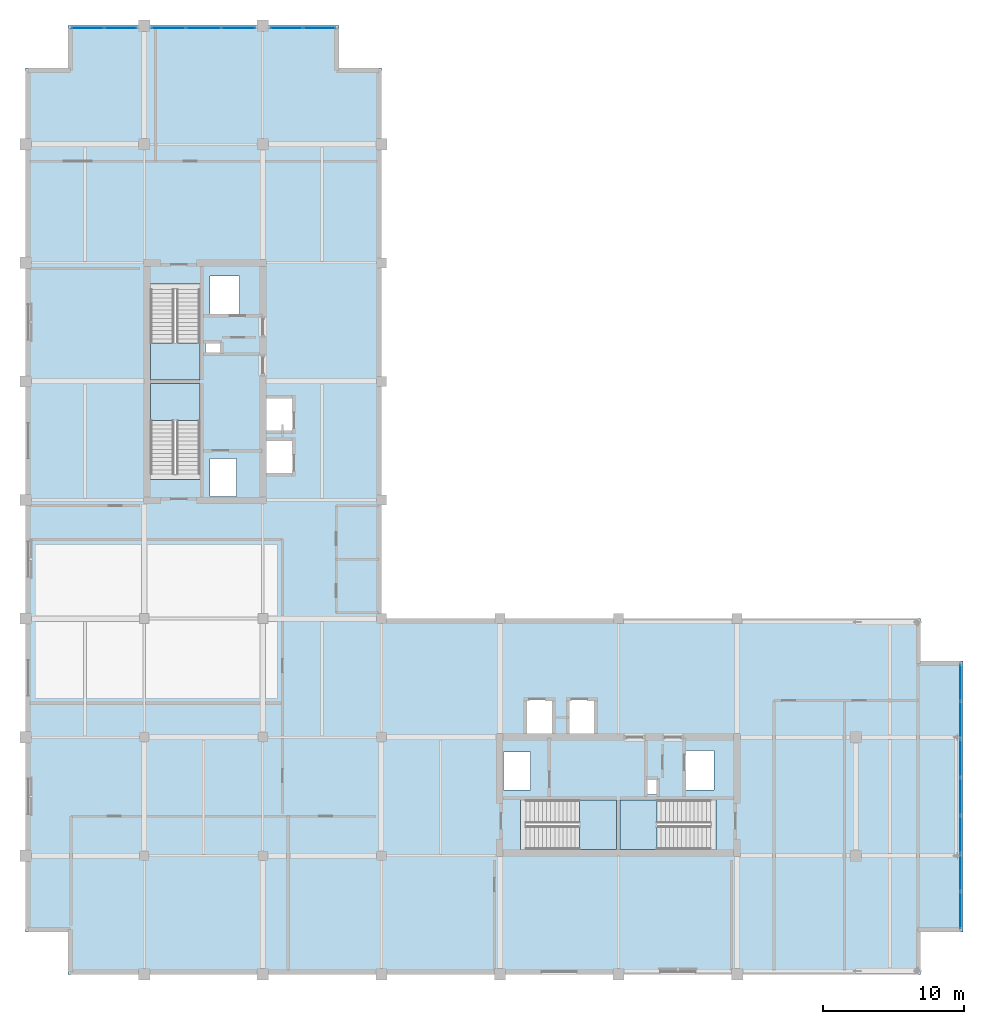
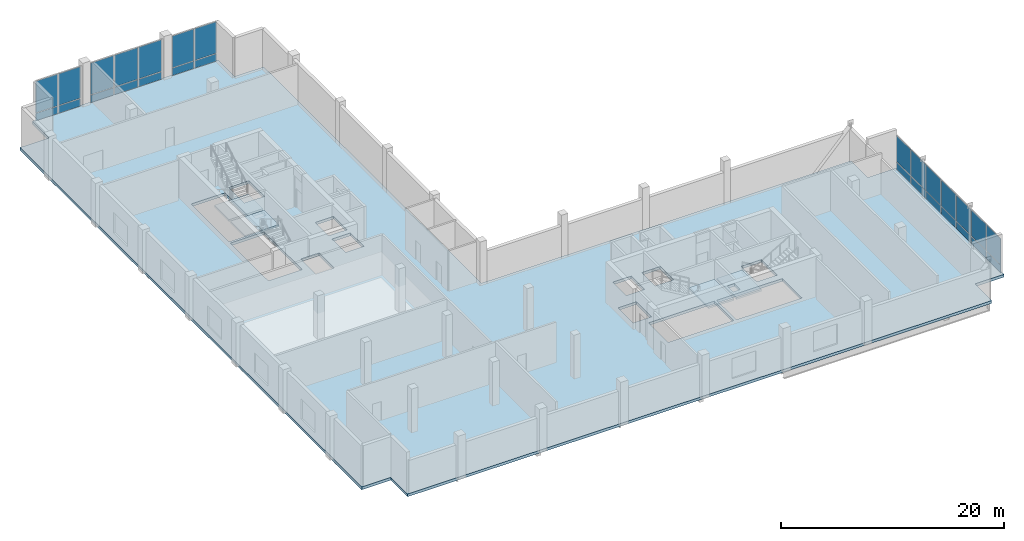
# One storey, part 8 of 18: 28 plates, 5 slabs, 8 elements without a shape of their own.
"""IFC4 building model written with IfcOpenShell, lengths in metres."""

from ifc_helpers import new_model, si_unit, direction, frame, origin, origin_2d, place, context, subcontext, project, spatial, polyline, rectangle, outline, extrude, material, layer, layer_set, type_object, element, aggregate, save


model = new_model("IFC4")

# Units and contexts
model_context = context("Model", 3, precision=1e-05, world=origin(), true_north=direction((0.0, 1.0)))
body_context = subcontext(model_context, "Body", "Model", "MODEL_VIEW")
ifc_project = project(units=[si_unit("LENGTHUNIT", "METRE"), si_unit("AREAUNIT", "SQUARE_METRE"), si_unit("VOLUMEUNIT", "CUBIC_METRE"), si_unit("PLANEANGLEUNIT", "RADIAN"), si_unit("MASSUNIT", "GRAM", prefix="KILO")], contexts=[model_context])

# Site, building, storey
site_placement = place(None, origin())
site = spatial("IfcSite", under=ifc_project, at=site_placement, CompositionType="ELEMENT")
building_placement = place(site_placement, origin())
building = spatial("IfcBuilding", under=site, at=building_placement, Name="Koriwani Terraces Tower", CompositionType="ELEMENT")
storey_placement = place(building_placement, frame((0.0, 0.0, 363.800048828125)))
storey = spatial("IfcBuildingStorey", under=building, at=storey_placement, Name="L90", CompositionType="ELEMENT", Elevation=363.800048828125)

# Curtain wall, plates
ifc_material_1 = material(Name="Anodised Bronze Aluminium", Category="aluminium")
ifc_layer_1 = layer(ifc_material_1, 0.219970703125, Name="Anodised Bronze Aluminium")
ifc_layer_set_1 = layer_set([ifc_layer_1], Name="Anodised Bronze Aluminium")
curtain_wall_type = type_object("IfcCurtainWallType", Name="CW_SKY_LOUNGE", PredefinedType="NOTDEFINED", material=ifc_layer_set_1)
curtain_wall_1_placement = place(storey_placement, origin())
curtain_wall_1 = element("IfcCurtainWall", 1, at=curtain_wall_1_placement, inside=storey, type_object=curtain_wall_type, Name="L90 Unitised Curtain Wall (N_TIP) Bay 1", PredefinedType="NOTDEFINED")
ifc_material_2 = material(Name="Tempered Laminated Low-E Glass", Category="glass")
ifc_layer_2 = layer(ifc_material_2, 0.028076171875, Name="Tempered Laminated Low-E Glass")
ifc_layer_set_2 = layer_set([ifc_layer_2], Name="Tempered Laminated Low-E Glass")
plate_type = type_object("IfcPlateType", Name="CW_PANEL_VISION_28", PredefinedType="CURTAIN_PANEL", material=ifc_layer_set_2)
plate_1_placement = place(storey_placement, frame((12.78759765625, 75.425048828125, 0.06494140625), z_axis=(0.0, 0.0, 1.0), x_axis=(1.0, 0.0, 0.0)))
plate_1 = element("IfcPlate", 2, at=plate_1_placement, type_object=plate_type, Name="CW-SKY panel 1.1", PredefinedType="CURTAIN_PANEL", context=body_context, shape_type="SweptSolid", body=[
    extrude(rectangle(XDim=2.2548828125, YDim=0.028076171875, at=origin_2d()), origin(), (0.0, 0.0, 1.0), 0.802490234375),
])
plate_2_placement = place(storey_placement, frame((12.78759765625, 75.425048828125, 0.9326171875), z_axis=(0.0, 0.0, 1.0), x_axis=(1.0, 0.0, 0.0)))
plate_2 = element("IfcPlate", 3, at=plate_2_placement, type_object=plate_type, Name="CW-SKY panel 1.2", PredefinedType="CURTAIN_PANEL", context=body_context, shape_type="SweptSolid", body=[
    extrude(rectangle(XDim=2.2548828125, YDim=0.028076171875, at=origin_2d()), origin(), (0.0, 0.0, 1.0), 3.452392578125),
])
plate_3_placement = place(storey_placement, frame((15.12744140625, 75.425048828125, 0.06494140625), z_axis=(0.0, 0.0, 1.0), x_axis=(1.0, 0.0, 0.0)))
plate_3 = element("IfcPlate", 4, at=plate_3_placement, type_object=plate_type, Name="CW-SKY panel 2.1", PredefinedType="CURTAIN_PANEL", context=body_context, shape_type="SweptSolid", body=[
    extrude(rectangle(XDim=2.2548828125, YDim=0.028076171875, at=origin_2d()), origin(), (0.0, 0.0, 1.0), 0.802490234375),
])
plate_4_placement = place(storey_placement, frame((15.12744140625, 75.425048828125, 0.9326171875), z_axis=(0.0, 0.0, 1.0), x_axis=(1.0, 0.0, 0.0)))
plate_4 = element("IfcPlate", 5, at=plate_4_placement, type_object=plate_type, Name="CW-SKY panel 2.2", PredefinedType="CURTAIN_PANEL", context=body_context, shape_type="SweptSolid", body=[
    extrude(rectangle(XDim=2.2548828125, YDim=0.028076171875, at=origin_2d()), origin(), (0.0, 0.0, 1.0), 3.452392578125),
])
aggregate(curtain_wall_1, [plate_1, plate_2, plate_3, plate_4])

curtain_wall_2_placement = place(storey_placement, origin())
curtain_wall_2 = element("IfcCurtainWall", 6, at=curtain_wall_2_placement, inside=storey, type_object=curtain_wall_type, Name="L90 Unitised Curtain Wall (N_TIP) Bay 2", PredefinedType="NOTDEFINED")
plate_5_placement = place(storey_placement, frame((18.52783203125, 75.425048828125, 0.06494140625), z_axis=(0.0, 0.0, 1.0), x_axis=(1.0, 0.0, 0.0)))
plate_5 = element("IfcPlate", 7, at=plate_5_placement, type_object=plate_type, Name="CW-SKY panel 1.1", PredefinedType="CURTAIN_PANEL", context=body_context, shape_type="SweptSolid", body=[
    extrude(rectangle(XDim=2.36572265625, YDim=0.028076171875, at=origin_2d()), origin(), (0.0, 0.0, 1.0), 0.802490234375),
])
plate_6_placement = place(storey_placement, frame((18.52783203125, 75.425048828125, 0.9326171875), z_axis=(0.0, 0.0, 1.0), x_axis=(1.0, 0.0, 0.0)))
plate_6 = element("IfcPlate", 8, at=plate_6_placement, type_object=plate_type, Name="CW-SKY panel 1.2", PredefinedType="CURTAIN_PANEL", context=body_context, shape_type="SweptSolid", body=[
    extrude(rectangle(XDim=2.36572265625, YDim=0.028076171875, at=origin_2d()), origin(), (0.0, 0.0, 1.0), 3.452392578125),
])
plate_7_placement = place(storey_placement, frame((21.0, 75.425048828125, 0.06494140625), z_axis=(0.0, 0.0, 1.0), x_axis=(1.0, 0.0, 0.0)))
plate_7 = element("IfcPlate", 9, at=plate_7_placement, type_object=plate_type, Name="CW-SKY panel 2.1", PredefinedType="CURTAIN_PANEL", context=body_context, shape_type="SweptSolid", body=[
    extrude(rectangle(XDim=2.408447265625, YDim=0.028076171875, at=origin_2d()), origin(), (0.0, 0.0, 1.0), 0.802490234375),
])
plate_8_placement = place(storey_placement, frame((21.0, 75.425048828125, 0.9326171875), z_axis=(0.0, 0.0, 1.0), x_axis=(1.0, 0.0, 0.0)))
plate_8 = element("IfcPlate", 10, at=plate_8_placement, type_object=plate_type, Name="CW-SKY panel 2.2", PredefinedType="CURTAIN_PANEL", context=body_context, shape_type="SweptSolid", body=[
    extrude(rectangle(XDim=2.408447265625, YDim=0.028076171875, at=origin_2d()), origin(), (0.0, 0.0, 1.0), 3.452392578125),
])
plate_9_placement = place(storey_placement, frame((23.47216796875, 75.425048828125, 0.06494140625), z_axis=(0.0, 0.0, 1.0), x_axis=(1.0, 0.0, 0.0)))
plate_9 = element("IfcPlate", 11, at=plate_9_placement, type_object=plate_type, Name="CW-SKY panel 3.1", PredefinedType="CURTAIN_PANEL", context=body_context, shape_type="SweptSolid", body=[
    extrude(rectangle(XDim=2.36572265625, YDim=0.028076171875, at=origin_2d()), origin(), (0.0, 0.0, 1.0), 0.802490234375),
])
plate_10_placement = place(storey_placement, frame((23.47216796875, 75.425048828125, 0.9326171875), z_axis=(0.0, 0.0, 1.0), x_axis=(1.0, 0.0, 0.0)))
plate_10 = element("IfcPlate", 12, at=plate_10_placement, type_object=plate_type, Name="CW-SKY panel 3.2", PredefinedType="CURTAIN_PANEL", context=body_context, shape_type="SweptSolid", body=[
    extrude(rectangle(XDim=2.36572265625, YDim=0.028076171875, at=origin_2d()), origin(), (0.0, 0.0, 1.0), 3.452392578125),
])
aggregate(curtain_wall_2, [plate_5, plate_6, plate_7, plate_8, plate_9, plate_10])

curtain_wall_3_placement = place(storey_placement, origin())
curtain_wall_3 = element("IfcCurtainWall", 13, at=curtain_wall_3_placement, inside=storey, type_object=curtain_wall_type, Name="L90 Unitised Curtain Wall (N_TIP) Bay 3", PredefinedType="NOTDEFINED")
plate_11_placement = place(storey_placement, frame((26.87255859375, 75.425048828125, 0.06494140625), z_axis=(0.0, 0.0, 1.0), x_axis=(1.0, 0.0, 0.0)))
plate_11 = element("IfcPlate", 14, at=plate_11_placement, type_object=plate_type, Name="CW-SKY panel 1.1", PredefinedType="CURTAIN_PANEL", context=body_context, shape_type="SweptSolid", body=[
    extrude(rectangle(XDim=2.2548828125, YDim=0.028076171875, at=origin_2d()), origin(), (0.0, 0.0, 1.0), 0.802490234375),
])
plate_12_placement = place(storey_placement, frame((26.87255859375, 75.425048828125, 0.9326171875), z_axis=(0.0, 0.0, 1.0), x_axis=(1.0, 0.0, 0.0)))
plate_12 = element("IfcPlate", 15, at=plate_12_placement, type_object=plate_type, Name="CW-SKY panel 1.2", PredefinedType="CURTAIN_PANEL", context=body_context, shape_type="SweptSolid", body=[
    extrude(rectangle(XDim=2.2548828125, YDim=0.028076171875, at=origin_2d()), origin(), (0.0, 0.0, 1.0), 3.452392578125),
])
plate_13_placement = place(storey_placement, frame((29.21240234375, 75.425048828125, 0.06494140625), z_axis=(0.0, 0.0, 1.0), x_axis=(1.0, 0.0, 0.0)))
plate_13 = element("IfcPlate", 16, at=plate_13_placement, type_object=plate_type, Name="CW-SKY panel 2.1", PredefinedType="CURTAIN_PANEL", context=body_context, shape_type="SweptSolid", body=[
    extrude(rectangle(XDim=2.2548828125, YDim=0.028076171875, at=origin_2d()), origin(), (0.0, 0.0, 1.0), 0.802490234375),
])
plate_14_placement = place(storey_placement, frame((29.21240234375, 75.425048828125, 0.9326171875), z_axis=(0.0, 0.0, 1.0), x_axis=(1.0, 0.0, 0.0)))
plate_14 = element("IfcPlate", 17, at=plate_14_placement, type_object=plate_type, Name="CW-SKY panel 2.2", PredefinedType="CURTAIN_PANEL", context=body_context, shape_type="SweptSolid", body=[
    extrude(rectangle(XDim=2.2548828125, YDim=0.028076171875, at=origin_2d()), origin(), (0.0, 0.0, 1.0), 3.452392578125),
])
aggregate(curtain_wall_3, [plate_11, plate_12, plate_13, plate_14])

curtain_wall_4_placement = place(storey_placement, origin())
curtain_wall_4 = element("IfcCurtainWall", 18, at=curtain_wall_4_placement, inside=storey, type_object=curtain_wall_type, Name="L90 Unitised Curtain Wall (E_TIP)", PredefinedType="NOTDEFINED")
plate_15_placement = place(storey_placement, frame((74.625, 29.057373046875, 0.06494140625), z_axis=(0.0, 0.0, 1.0), x_axis=(0.0, -1.0, 0.0)))
plate_15 = element("IfcPlate", 19, at=plate_15_placement, type_object=plate_type, Name="CW-SKY panel 1.1", PredefinedType="CURTAIN_PANEL", context=body_context, shape_type="SweptSolid", body=[
    extrude(rectangle(XDim=2.5654296875, YDim=0.028076171875, at=origin_2d()), origin(), (0.0, 0.0, 1.0), 0.802490234375),
])
plate_16_placement = place(storey_placement, frame((74.625, 29.057373046875, 0.9326171875), z_axis=(0.0, 0.0, 1.0), x_axis=(0.0, -1.0, 0.0)))
plate_16 = element("IfcPlate", 20, at=plate_16_placement, type_object=plate_type, Name="CW-SKY panel 1.2", PredefinedType="CURTAIN_PANEL", context=body_context, shape_type="SweptSolid", body=[
    extrude(rectangle(XDim=2.5654296875, YDim=0.028076171875, at=origin_2d()), origin(), (0.0, 0.0, 1.0), 2.841552734375),
])
plate_17_placement = place(storey_placement, frame((74.625, 26.3857421875, 0.06494140625), z_axis=(0.0, 0.0, 1.0), x_axis=(0.0, -1.0, 0.0)))
plate_17 = element("IfcPlate", 21, at=plate_17_placement, type_object=plate_type, Name="CW-SKY panel 2.1", PredefinedType="CURTAIN_PANEL", context=body_context, shape_type="SweptSolid", body=[
    extrude(rectangle(XDim=2.60791015625, YDim=0.028076171875, at=origin_2d()), origin(), (0.0, 0.0, 1.0), 0.802490234375),
])
plate_18_placement = place(storey_placement, frame((74.625, 26.3857421875, 0.9326171875), z_axis=(0.0, 0.0, 1.0), x_axis=(0.0, -1.0, 0.0)))
plate_18 = element("IfcPlate", 22, at=plate_18_placement, type_object=plate_type, Name="CW-SKY panel 2.2", PredefinedType="CURTAIN_PANEL", context=body_context, shape_type="SweptSolid", body=[
    extrude(rectangle(XDim=2.60791015625, YDim=0.028076171875, at=origin_2d()), origin(), (0.0, 0.0, 1.0), 2.841552734375),
])
plate_19_placement = place(storey_placement, frame((74.625, 23.69287109375, 0.06494140625), z_axis=(0.0, 0.0, 1.0), x_axis=(0.0, -1.0, 0.0)))
plate_19 = element("IfcPlate", 23, at=plate_19_placement, type_object=plate_type, Name="CW-SKY panel 3.1", PredefinedType="CURTAIN_PANEL", context=body_context, shape_type="SweptSolid", body=[
    extrude(rectangle(XDim=2.60791015625, YDim=0.028076171875, at=origin_2d()), origin(), (0.0, 0.0, 1.0), 0.802490234375),
])
plate_20_placement = place(storey_placement, frame((74.625, 23.69287109375, 0.9326171875), z_axis=(0.0, 0.0, 1.0), x_axis=(0.0, -1.0, 0.0)))
plate_20 = element("IfcPlate", 24, at=plate_20_placement, type_object=plate_type, Name="CW-SKY panel 3.2", PredefinedType="CURTAIN_PANEL", context=body_context, shape_type="SweptSolid", body=[
    extrude(rectangle(XDim=2.60791015625, YDim=0.028076171875, at=origin_2d()), origin(), (0.0, 0.0, 1.0), 2.841552734375),
])
plate_21_placement = place(storey_placement, frame((74.625, 21.0, 0.06494140625), z_axis=(0.0, 0.0, 1.0), x_axis=(0.0, -1.0, 0.0)))
plate_21 = element("IfcPlate", 25, at=plate_21_placement, type_object=plate_type, Name="CW-SKY panel 4.1", PredefinedType="CURTAIN_PANEL", context=body_context, shape_type="SweptSolid", body=[
    extrude(rectangle(XDim=2.60791015625, YDim=0.028076171875, at=origin_2d()), origin(), (0.0, 0.0, 1.0), 0.802490234375),
])
plate_22_placement = place(storey_placement, frame((74.625, 21.0, 0.9326171875), z_axis=(0.0, 0.0, 1.0), x_axis=(0.0, -1.0, 0.0)))
plate_22 = element("IfcPlate", 26, at=plate_22_placement, type_object=plate_type, Name="CW-SKY panel 4.2", PredefinedType="CURTAIN_PANEL", context=body_context, shape_type="SweptSolid", body=[
    extrude(rectangle(XDim=2.60791015625, YDim=0.028076171875, at=origin_2d()), origin(), (0.0, 0.0, 1.0), 2.841552734375),
])
plate_23_placement = place(storey_placement, frame((74.625, 18.30712890625, 0.06494140625), z_axis=(0.0, 0.0, 1.0), x_axis=(0.0, -1.0, 0.0)))
plate_23 = element("IfcPlate", 27, at=plate_23_placement, type_object=plate_type, Name="CW-SKY panel 5.1", PredefinedType="CURTAIN_PANEL", context=body_context, shape_type="SweptSolid", body=[
    extrude(rectangle(XDim=2.60791015625, YDim=0.028076171875, at=origin_2d()), origin(), (0.0, 0.0, 1.0), 0.802490234375),
])
plate_24_placement = place(storey_placement, frame((74.625, 18.30712890625, 0.9326171875), z_axis=(0.0, 0.0, 1.0), x_axis=(0.0, -1.0, 0.0)))
plate_24 = element("IfcPlate", 28, at=plate_24_placement, type_object=plate_type, Name="CW-SKY panel 5.2", PredefinedType="CURTAIN_PANEL", context=body_context, shape_type="SweptSolid", body=[
    extrude(rectangle(XDim=2.60791015625, YDim=0.028076171875, at=origin_2d()), origin(), (0.0, 0.0, 1.0), 2.841552734375),
])
plate_25_placement = place(storey_placement, frame((74.625, 15.6142578125, 0.06494140625), z_axis=(0.0, 0.0, 1.0), x_axis=(0.0, -1.0, 0.0)))
plate_25 = element("IfcPlate", 29, at=plate_25_placement, type_object=plate_type, Name="CW-SKY panel 6.1", PredefinedType="CURTAIN_PANEL", context=body_context, shape_type="SweptSolid", body=[
    extrude(rectangle(XDim=2.60791015625, YDim=0.028076171875, at=origin_2d()), origin(), (0.0, 0.0, 1.0), 0.802490234375),
])
plate_26_placement = place(storey_placement, frame((74.625, 15.6142578125, 0.9326171875), z_axis=(0.0, 0.0, 1.0), x_axis=(0.0, -1.0, 0.0)))
plate_26 = element("IfcPlate", 30, at=plate_26_placement, type_object=plate_type, Name="CW-SKY panel 6.2", PredefinedType="CURTAIN_PANEL", context=body_context, shape_type="SweptSolid", body=[
    extrude(rectangle(XDim=2.60791015625, YDim=0.028076171875, at=origin_2d()), origin(), (0.0, 0.0, 1.0), 2.841552734375),
])
plate_27_placement = place(storey_placement, frame((74.625, 12.942626953125, 0.06494140625), z_axis=(0.0, 0.0, 1.0), x_axis=(0.0, -1.0, 0.0)))
plate_27 = element("IfcPlate", 31, at=plate_27_placement, type_object=plate_type, Name="CW-SKY panel 7.1", PredefinedType="CURTAIN_PANEL", context=body_context, shape_type="SweptSolid", body=[
    extrude(rectangle(XDim=2.5654296875, YDim=0.028076171875, at=origin_2d()), origin(), (0.0, 0.0, 1.0), 0.802490234375),
])
plate_28_placement = place(storey_placement, frame((74.625, 12.942626953125, 0.9326171875), z_axis=(0.0, 0.0, 1.0), x_axis=(0.0, -1.0, 0.0)))
plate_28 = element("IfcPlate", 32, at=plate_28_placement, type_object=plate_type, Name="CW-SKY panel 7.2", PredefinedType="CURTAIN_PANEL", context=body_context, shape_type="SweptSolid", body=[
    extrude(rectangle(XDim=2.5654296875, YDim=0.028076171875, at=origin_2d()), origin(), (0.0, 0.0, 1.0), 2.841552734375),
])
aggregate(curtain_wall_4, [plate_15, plate_16, plate_17, plate_18, plate_19, plate_20, plate_21, plate_22, plate_23, plate_24, plate_25, plate_26, plate_27, plate_28])

# Slab
ifc_material_3 = material(Name="Concrete C50/60", Category="concrete")
ifc_layer_3 = layer(ifc_material_3, 0.300048828125, Name="Concrete C50/60")
ifc_layer_set_3 = layer_set([ifc_layer_3], Name="Concrete C50/60")
slab_type_1 = type_object("IfcSlabType", Name="SLAB_SKY_LOUNGE_300", PredefinedType="FLOOR", material=ifc_layer_set_3)
slab_1_placement = place(storey_placement, frame((0.0, 0.0, -0.300048828125)))
element("IfcSlab", 33, at=slab_1_placement, inside=storey, type_object=slab_type_1, Name="L90 Structural Floor Slab", PredefinedType="FLOOR", context=body_context, shape_type="SweptSolid", body=[
    extrude(outline(polyline([(11.39990234375, 8.39990234375), (71.800048828125, 8.39990234375), (71.800048828125, 11.39990234375), (74.800048828125, 11.39990234375), (74.800048828125, 30.60009765625), (71.800048828125, 30.60009765625), (71.800048828125, 33.60009765625), (33.60009765625, 33.60009765625), (33.60009765625, 72.60009765625), (30.60009765625, 72.60009765625), (30.60009765625, 75.60009765625), (11.39990234375, 75.60009765625), (11.39990234375, 72.60009765625), (8.39990234375, 72.60009765625), (8.39990234375, 11.39990234375), (11.39990234375, 11.39990234375), (11.39990234375, 8.39990234375)]), holes=[polyline([(17.25, 43.4599609375), (20.75, 43.4599609375), (20.75, 50.25), (17.25, 50.25), (17.25, 43.4599609375)]), polyline([(17.25, 50.5), (20.75, 50.5), (20.75, 57.2900390625), (17.25, 57.2900390625), (17.25, 50.5)]), polyline([(43.4599609375, 17.25), (50.25, 17.25), (50.25, 20.75), (43.4599609375, 20.75), (43.4599609375, 17.25)]), polyline([(50.5, 17.25), (57.2900390625, 17.25), (57.2900390625, 20.75), (50.5, 20.75), (50.5, 17.25)]), polyline([(25.449951171875, 43.85009765625), (27.35009765625, 43.85009765625), (27.35009765625, 46.25), (25.449951171875, 46.25), (25.449951171875, 43.85009765625)]), polyline([(25.449951171875, 46.85009765625), (27.35009765625, 46.85009765625), (27.35009765625, 49.25), (25.449951171875, 49.25), (25.449951171875, 46.85009765625)]), polyline([(43.85009765625, 25.449951171875), (45.75, 25.449951171875), (45.75, 27.85009765625), (43.85009765625, 27.85009765625), (43.85009765625, 25.449951171875)]), polyline([(46.85009765625, 25.449951171875), (48.75, 25.449951171875), (48.75, 27.85009765625), (46.85009765625, 27.85009765625), (46.85009765625, 25.449951171875)]), polyline([(21.449951171875, 55.050048828125), (23.550048828125, 55.050048828125), (23.550048828125, 57.85009765625), (21.449951171875, 57.85009765625), (21.449951171875, 55.050048828125)]), polyline([(55.050048828125, 21.449951171875), (57.14990234375, 21.449951171875), (57.14990234375, 24.25), (55.050048828125, 24.25), (55.050048828125, 21.449951171875)]), polyline([(21.449951171875, 42.25), (23.35009765625, 42.25), (23.35009765625, 44.949951171875), (21.449951171875, 44.949951171875), (21.449951171875, 42.25)]), polyline([(42.25, 21.449951171875), (44.14990234375, 21.449951171875), (44.14990234375, 24.14990234375), (42.25, 24.14990234375), (42.25, 21.449951171875)]), polyline([(21.14990234375, 52.419921875), (22.219970703125, 52.419921875), (22.219970703125, 53.179931640625), (21.14990234375, 53.179931640625), (21.14990234375, 52.419921875)]), polyline([(52.419921875, 21.14990234375), (53.179931640625, 21.14990234375), (53.179931640625, 22.219970703125), (52.419921875, 22.219970703125), (52.419921875, 21.14990234375)])]), origin(), (0.0, 0.0, 1.0), 0.300048828125),
])

# Stair, slab
ifc_material_4 = material(Name="Concrete C40/50", Category="concrete")
stair_type = type_object("IfcStairType", Name="STAIR_CORE_DOGLEG_1650", PredefinedType="TWO_STRAIGHT_RUN_STAIR", material=ifc_material_4)
stair_1_placement = place(storey_placement, origin())
stair_1 = element("IfcStair", 34, at=stair_1_placement, inside=storey, type_object=stair_type, Name="L90 West Core Exit Stair 1", PredefinedType="HALF_TURN_STAIR")
ifc_layer_4 = layer(ifc_material_4, 0.199951171875, Name="Concrete C40/50")
ifc_layer_set_4 = layer_set([ifc_layer_4], Name="Concrete C40/50")
slab_type_2 = type_object("IfcSlabType", Name="SLAB_STAIR_LANDING_200", PredefinedType="LANDING", material=ifc_layer_set_4)
slab_2_placement = place(storey_placement, frame((0.0, 0.0, 2.199951171875)))
slab_2 = element("IfcSlab", 35, at=slab_2_placement, type_object=slab_type_2, Name="ST-W1 landing 1", PredefinedType="LANDING", context=body_context, shape_type="SweptSolid", body=[
    extrude(outline(polyline([(20.75, 47.6201171875), (20.75, 50.25), (17.25, 50.25), (17.25, 47.6201171875), (20.75, 47.6201171875)])), origin(), (0.0, 0.0, 1.0), 0.199951171875),
])
aggregate(stair_1, [slab_2])

stair_2_placement = place(storey_placement, origin())
stair_2 = element("IfcStair", 36, at=stair_2_placement, inside=storey, type_object=stair_type, Name="L90 West Core Exit Stair 2", PredefinedType="HALF_TURN_STAIR")
slab_3_placement = place(storey_placement, frame((0.0, 0.0, 2.199951171875)))
slab_3 = element("IfcSlab", 37, at=slab_3_placement, type_object=slab_type_2, Name="ST-W2 landing 1", PredefinedType="LANDING", context=body_context, shape_type="SweptSolid", body=[
    extrude(outline(polyline([(17.25, 53.1298828125), (17.25, 50.5), (20.75, 50.5), (20.75, 53.1298828125), (17.25, 53.1298828125)])), origin(), (0.0, 0.0, 1.0), 0.199951171875),
])
aggregate(stair_2, [slab_3])

stair_3_placement = place(storey_placement, origin())
stair_3 = element("IfcStair", 38, at=stair_3_placement, inside=storey, type_object=stair_type, Name="L90 East Core Exit Stair 1", PredefinedType="HALF_TURN_STAIR")
slab_4_placement = place(storey_placement, frame((0.0, 0.0, 2.199951171875)))
slab_4 = element("IfcSlab", 39, at=slab_4_placement, type_object=slab_type_2, Name="ST-E1 landing 1", PredefinedType="LANDING", context=body_context, shape_type="SweptSolid", body=[
    extrude(outline(polyline([(47.6201171875, 17.25), (50.25, 17.25), (50.25, 20.75), (47.6201171875, 20.75), (47.6201171875, 17.25)])), origin(), (0.0, 0.0, 1.0), 0.199951171875),
])
aggregate(stair_3, [slab_4])

stair_4_placement = place(storey_placement, origin())
stair_4 = element("IfcStair", 40, at=stair_4_placement, inside=storey, type_object=stair_type, Name="L90 East Core Exit Stair 2", PredefinedType="HALF_TURN_STAIR")
slab_5_placement = place(storey_placement, frame((0.0, 0.0, 2.199951171875)))
slab_5 = element("IfcSlab", 41, at=slab_5_placement, type_object=slab_type_2, Name="ST-E2 landing 1", PredefinedType="LANDING", context=body_context, shape_type="SweptSolid", body=[
    extrude(outline(polyline([(53.1298828125, 20.75), (50.5, 20.75), (50.5, 17.25), (53.1298828125, 17.25), (53.1298828125, 20.75)])), origin(), (0.0, 0.0, 1.0), 0.199951171875),
])
aggregate(stair_4, [slab_5])

save(model, "model.ifc")
